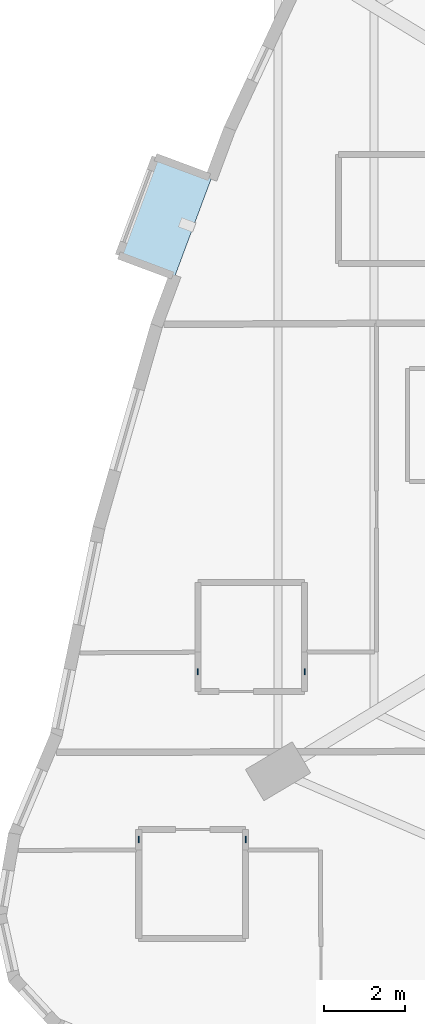
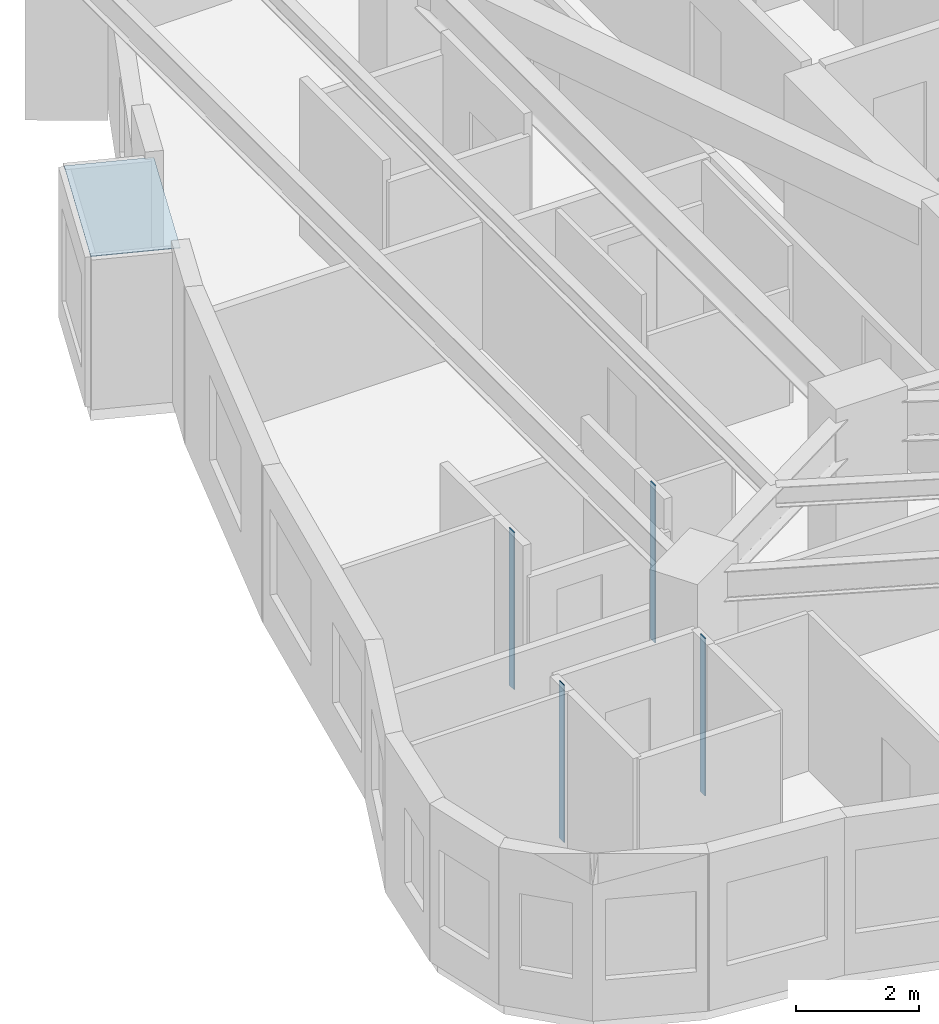
# One storey, part 2 of 13: 5 plates.
"""IFC4 building model written with IfcOpenShell, lengths in metres."""

from ifc_helpers import new_model, si_unit, direction, frame, origin, origin_2d, place, context, subcontext, project, spatial, polyline, rectangle, outline, extrude, material, layer, layer_set, type_object, element, save


model = new_model("IFC4")

# Units and contexts
model_context = context("Model", 3, precision=1e-05, world=origin(), true_north=direction((0.0, 1.0)))
body_context = subcontext(model_context, "Body", "Model", "MODEL_VIEW")
ifc_project = project(units=[si_unit("LENGTHUNIT", "METRE"), si_unit("AREAUNIT", "SQUARE_METRE"), si_unit("VOLUMEUNIT", "CUBIC_METRE"), si_unit("PLANEANGLEUNIT", "RADIAN"), si_unit("MASSUNIT", "GRAM", prefix="KILO")], contexts=[model_context])

# Site, building, storey
site_placement = place(None, origin())
site = spatial("IfcSite", under=ifc_project, at=site_placement, CompositionType="ELEMENT")
building_placement = place(site_placement, origin())
building = spatial("IfcBuilding", under=site, at=building_placement, Name="Miruveldt Soraemaru", CompositionType="ELEMENT")
storey_placement = place(building_placement, frame((0.0, 0.0, 76.800048828125)))
storey = spatial("IfcBuildingStorey", under=building, at=storey_placement, Name="L21", CompositionType="ELEMENT", Elevation=76.800048828125)

# Plates
ifc_material_1 = material(Name="Anodised aluminium EN AW-6063 T6", Category="aluminium")
ifc_layer_1 = layer(ifc_material_1, 0.02001953125, Name="Anodised aluminium EN AW-6063 T6", Category="aluminium")
ifc_layer_set_1 = layer_set([ifc_layer_1], Name="Anodised aluminium EN AW-6063 T6")
plate_type_1 = type_object("IfcPlateType", Name="PLT-PART-TRIM", PredefinedType="SHEET", material=ifc_layer_set_1)
for number, where, z_axis, x_axis, name in (
    (1, (27.304931640625, 35.364990234375, 0.0), (0.0, 0.0, 1.0), (0.0, 1.0, 0.0), "L21 Partition Step Corner Trim Plate 041"),
    (2, (24.655029296875, 35.364990234375, 0.0), (0.0, 0.0, 1.0), (0.0, -1.0, 0.0), "L21 Partition Step Corner Trim Plate 042"),
    (3, (25.842041015625, 31.205078125, 0.0), (0.0, 0.0, 1.0), (0.0, 1.0, 0.0), "L21 Partition Step Corner Trim Plate 082"),
    (4, (23.19189453125, 31.205078125, 0.0), (0.0, 0.0, 1.0), (0.0, -1.0, 0.0), "L21 Partition Step Corner Trim Plate 084"),
):
    element("IfcPlate", number, at=place(storey_placement, frame(where, z_axis=z_axis, x_axis=x_axis)), inside=storey, type_object=plate_type_1, Name=name, PredefinedType="SHEET", context=body_context, shape_type="SweptSolid", body=[
        extrude(rectangle(XDim=0.159912109375, YDim=0.02001953125, at=origin_2d()), origin(), (0.0, 0.0, 1.0), 3.125),
    ])
ifc_material_2 = material(Name="Standing-seam titanium-zinc sheet", Category="aluminium")
ifc_layer_2 = layer(ifc_material_2, 0.011962890625, Name="Standing-seam titanium-zinc sheet", Category="aluminium")
ifc_layer_set_2 = layer_set([ifc_layer_2], Name="Standing-seam titanium-zinc sheet")
plate_type_2 = type_object("IfcPlateType", Name="PLT-ZINC-12", PredefinedType="SHEET", material=ifc_layer_set_2)
plate_placement = place(storey_placement, frame((0.0, 0.0, 2.974853515625)))
element("IfcPlate", 5, at=plate_placement, inside=storey, type_object=plate_type_2, Name="L21 Bay Window Zinc Hood Sheet 2", PredefinedType="SHEET", context=body_context, shape_type="SweptSolid", body=[
    extrude(outline(polyline([(24.994140625, 47.601318359375), (24.086669921875, 45.1650390625), (22.69970703125, 45.681640625), (23.607421875, 48.117919921875), (24.994140625, 47.601318359375)])), origin(), (0.0, 0.0, 1.0), 0.01220703125),
])

save(model, "model.ifc")
